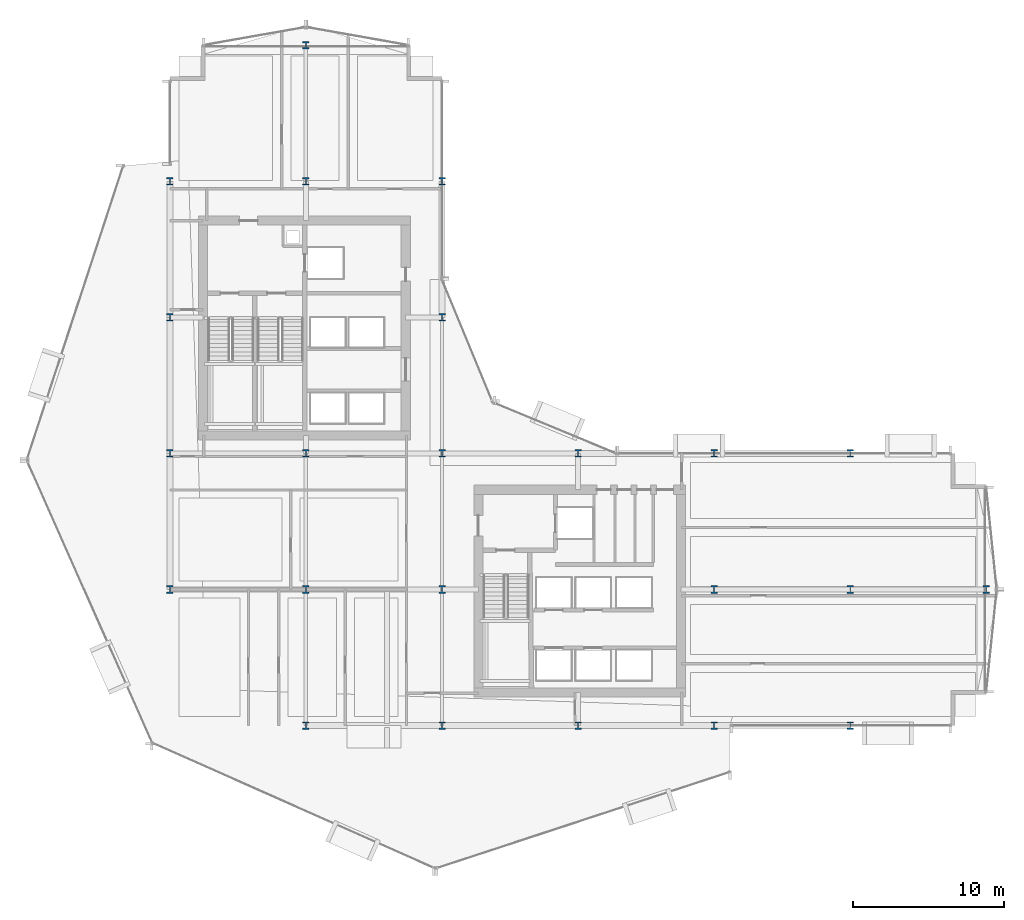
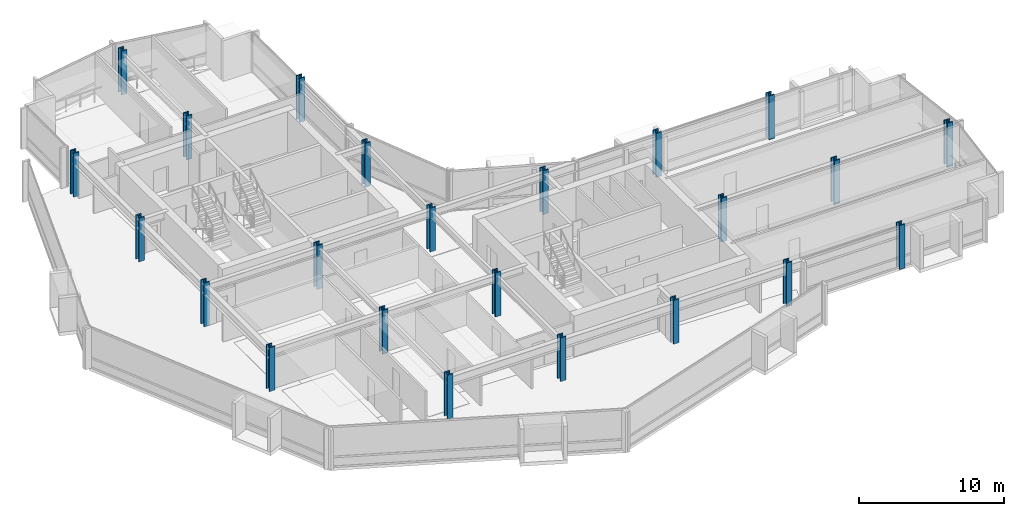
# One storey, part 1 of 34: 23 columns.
"""IFC4 building model written with IfcOpenShell, lengths in metres."""

import ifcopenshell
import ifcopenshell.guid

model = None  # the IFC model being written
_history = None  # IfcOwnerHistory: only IFC2X3 demands one
_inside = {}  # id of a spatial element -> (the spatial element, [elements in it])
_under = {}  # id of a project, library or spatial element -> (it, [spatial elements below it])
_declared = {}  # id of a project -> (the project, [libraries it declares])
_typed = {}  # id of a type object -> (the type object, [elements of that type])
_made_of = {}  # id of a material, layer set ... -> (it, [elements and type objects made of it])


def new_model(schema):
    """Start an empty IFC model of exactly this schema.

    Asked for "IFC4X3", IfcOpenShell would pick the latest addendum, in which some entities
    have other attributes; the version numbers below select the first issue.
    IFC2X3 requires an IfcOwnerHistory on every rooted entity: one is made here for all.
    """
    global model, _history
    if schema == "IFC4X3":
        model = ifcopenshell.file(schema_version=(4, 3, 0, 0))
    else:
        model = ifcopenshell.file(schema=schema)
    _inside.clear()
    _under.clear()
    _declared.clear()
    _typed.clear()
    _made_of.clear()
    _history = None
    if model.schema == "IFC2X3":
        org = make("IfcOrganization", Name="unknown")
        user = make(
            "IfcPersonAndOrganization",
            ThePerson=make("IfcPerson", FamilyName="unknown"),
            TheOrganization=org,
        )
        app = make(
            "IfcApplication",
            ApplicationDeveloper=org,
            Version="unknown",
            ApplicationFullName="unknown",
            ApplicationIdentifier="unknown",
        )
        _history = make(
            "IfcOwnerHistory",
            OwningUser=user,
            OwningApplication=app,
            ChangeAction="ADDED",
            CreationDate=0,
        )
    return model


def make(cls, **values):
    """One entity of the class cls with the attributes given. An attribute that is None is left unset."""
    return model.create_entity(
        cls, **{name: value for name, value in values.items() if value is not None}
    )


def rooted(cls, **values):
    """An entity with a GlobalId (a new one), such as an element, a storey or a relation."""
    return make(cls, GlobalId=ifcopenshell.guid.new(), OwnerHistory=_history, **values)


def si_unit(unit_type, name, prefix=None):
    """IfcSIUnit, for example si_unit("LENGTHUNIT", "METRE", prefix="MILLI")."""
    return make("IfcSIUnit", UnitType=unit_type, Prefix=prefix, Name=name)


def assignment(units):
    """IfcUnitAssignment: the units of a project."""
    return None if units is None else make("IfcUnitAssignment", Units=units)


def point(xyz):
    """IfcCartesianPoint."""
    return None if xyz is None else make("IfcCartesianPoint", Coordinates=xyz)


def direction(xyz):
    """IfcDirection."""
    return None if xyz is None else make("IfcDirection", DirectionRatios=xyz)


def frame(location, z_axis=None, x_axis=None):
    """IfcAxis2Placement3D, a coordinate frame: its origin and axes. An axis left out is left unset."""
    return make(
        "IfcAxis2Placement3D",
        Location=point(location),
        Axis=direction(z_axis),
        RefDirection=direction(x_axis),
    )


def frame_2d(location, x_axis=None):
    """IfcAxis2Placement2D, a coordinate frame in the plane: its origin and x axis."""
    return make(
        "IfcAxis2Placement2D", Location=point(location), RefDirection=direction(x_axis)
    )


def origin():
    """The frame at (0, 0, 0) with its axes left unset."""
    return frame((0.0, 0.0, 0.0))


def origin_2d():
    """The frame at (0, 0) in the plane with its x axis left unset."""
    return frame_2d((0.0, 0.0))


def place(relative_to, where):
    """IfcLocalPlacement: puts the frame where relative to a parent placement (None: the world)."""
    return make(
        "IfcLocalPlacement", PlacementRelTo=relative_to, RelativePlacement=where
    )


def context(
    kind, dimensions, precision=None, world=None, true_north=None, identifier=None
):
    """IfcGeometricRepresentationContext, for example the 3D "Model" context."""
    return make(
        "IfcGeometricRepresentationContext",
        ContextIdentifier=identifier,
        ContextType=kind,
        CoordinateSpaceDimension=dimensions,
        Precision=precision,
        WorldCoordinateSystem=world,
        TrueNorth=true_north,
    )


def subcontext(parent, identifier, kind, view, scale=None):
    """IfcGeometricRepresentationSubContext, for example "Body" below "Model"."""
    return make(
        "IfcGeometricRepresentationSubContext",
        ContextIdentifier=identifier,
        ContextType=kind,
        ParentContext=parent,
        TargetScale=scale,
        TargetView=view,
    )


def project(units=None, contexts=None):
    """IfcProject with its units and contexts."""
    return rooted(
        "IfcProject",
        Name="project",
        RepresentationContexts=contexts,
        UnitsInContext=assignment(units),
    )


def spatial(cls, under=None, at=None, **own):
    """A site, building, storey or space (cls), placed at a placement, below another one or the project."""
    s = rooted(cls, ObjectPlacement=at, **own)
    if under is not None:
        _under.setdefault(under.id(), (under, []))[1].append(s)
    return s


def profile(cls, at=None, kind="AREA", **sizes):
    """A parametric profile (cls). Its sizes go by their IFC names, for example OverallWidth=200.0."""
    return make(cls, ProfileType=kind, Position=at, **sizes)


def i_section(**sizes):
    """IfcIShapeProfileDef."""
    return profile("IfcIShapeProfileDef", **sizes)


def extrude(swept, where, along, depth):
    """IfcExtrudedAreaSolid: the profile swept, set in the frame where, extruded along a direction by depth."""
    return make(
        "IfcExtrudedAreaSolid",
        SweptArea=swept,
        Position=where,
        ExtrudedDirection=direction(along),
        Depth=depth,
    )


def shape(context_of_items, identifier, shape_type, items):
    """IfcShapeRepresentation: the items that make up one representation, for example the "Body"."""
    return make(
        "IfcShapeRepresentation",
        ContextOfItems=context_of_items,
        RepresentationIdentifier=identifier,
        RepresentationType=shape_type,
        Items=items,
    )


def material(Name=None, Category=None):
    """IfcMaterial."""
    return make("IfcMaterial", Name=Name, Category=Category)


def material_profile(
    of_material, cross_section, Name=None, Category=None, Priority=None
):
    """IfcMaterialProfile: a cross section and its material."""
    return make(
        "IfcMaterialProfile",
        Name=Name,
        Material=of_material,
        Profile=cross_section,
        Priority=Priority,
        Category=Category,
    )


def profile_set(profiles, Name=None, composite=None):
    """IfcMaterialProfileSet."""
    return make(
        "IfcMaterialProfileSet",
        Name=Name,
        MaterialProfiles=profiles,
        CompositeProfile=composite,
    )


def made_of(thing, what):
    """Note that an element or type object is made of a material, layer set ...; save() writes the relation."""
    if what is not None:
        _made_of.setdefault(what.id(), (what, []))[1].append(thing)
    return thing


def type_object(cls, material=None, **own):
    """A type object (cls), such as IfcWallType, which elements share."""
    return made_of(rooted(cls, **own), material)


def element(
    cls,
    number,
    at=None,
    inside=None,
    cuts=None,
    type_object=None,
    material=None,
    context=None,
    identifier="Body",
    shape_type=None,
    held_by="IfcProductDefinitionShape",
    body=None,
    shapes=None,
    **own,
):
    """One element of the class cls, such as IfcWall. Its Tag is "e" and its number.

    at: its placement. inside: the storey or other place that contains it. cuts: it is an
    opening in that element (IfcRelVoidsElement). A single representation is given by context,
    identifier, shape_type and body (its items); several are given by shapes. held_by: the class
    of the entity that holds the representations. save() writes the other relations.
    """
    e = rooted(cls, Tag="e%d" % number, ObjectPlacement=at, **own)
    if body is not None:
        shapes = [shape(context, identifier, shape_type, body)]
    if shapes is not None:
        e.Representation = make(held_by, Representations=shapes)
    if inside is not None:
        _inside.setdefault(inside.id(), (inside, []))[1].append(e)
    if cuts is not None:
        rooted(
            "IfcRelVoidsElement", RelatingBuildingElement=cuts, RelatedOpeningElement=e
        )
    if type_object is not None:
        _typed.setdefault(type_object.id(), (type_object, []))[1].append(e)
    return made_of(e, material)


def aggregate(whole, parts):
    """IfcRelAggregates: a whole, such as a stair, and the parts it consists of."""
    return rooted("IfcRelAggregates", RelatingObject=whole, RelatedObjects=parts)


def save(model, path):
    """Write the relations noted so far, then the file.

    IfcRelAggregates (storeys below a building ...), IfcRelContainedInSpatialStructure (elements
    in a storey), IfcRelDefinesByType, IfcRelAssociatesMaterial and IfcRelDeclares: one each for
    every whole, place, type object, material and project.
    """
    for whole, parts in _under.values():
        aggregate(whole, parts)
    for where, things in _inside.values():
        rooted(
            "IfcRelContainedInSpatialStructure",
            RelatedElements=things,
            RelatingStructure=where,
        )
    for kind, things in _typed.values():
        rooted("IfcRelDefinesByType", RelatedObjects=things, RelatingType=kind)
    for what, things in _made_of.values():
        rooted("IfcRelAssociatesMaterial", RelatedObjects=things, RelatingMaterial=what)
    for by, libraries in _declared.values():
        rooted("IfcRelDeclares", RelatingContext=by, RelatedDefinitions=libraries)
    model.write(path)


model = new_model("IFC4")

# Units and contexts
model_context = context("Model", 3, precision=1e-05, world=origin(), true_north=direction((0.0, 1.0)))
body_context = subcontext(model_context, "Body", "Model", "MODEL_VIEW")
ifc_project = project(units=[si_unit("LENGTHUNIT", "METRE"), si_unit("AREAUNIT", "SQUARE_METRE"), si_unit("VOLUMEUNIT", "CUBIC_METRE"), si_unit("PLANEANGLEUNIT", "RADIAN"), si_unit("MASSUNIT", "GRAM", prefix="KILO")], contexts=[model_context])

# Site, building, storey
site_placement = place(None, origin())
site = spatial("IfcSite", under=ifc_project, at=site_placement, CompositionType="ELEMENT")
building_placement = place(site_placement, origin())
building = spatial("IfcBuilding", under=site, at=building_placement, Name="Solvaryn Broadcast Tower", CompositionType="ELEMENT")
storey_placement = place(building_placement, frame((0.0, 0.0, 54.5)))
storey = spatial("IfcBuildingStorey", under=building, at=storey_placement, Name="L12", CompositionType="ELEMENT", Elevation=54.5)

# Columns
ifc_material_1 = material(Name="Steel ASTM A913 Grade 65", Category="steel")
ifc_material_profile_1 = material_profile(ifc_material_1, i_section(OverallWidth=0.431884765625, OverallDepth=0.498046875, WebThickness=0.0556640625, FlangeThickness=0.0888671875, FilletRadius=0.014892578125, at=origin_2d()))
ifc_profile_set_1 = profile_set([ifc_material_profile_1], Name="Steel ASTM A913 Grade 65")
column_type_1 = type_object("IfcColumnType", Name="COL-C03E-W14X500", PredefinedType="COLUMN", material=ifc_profile_set_1)
for number, where, z_axis, x_axis, name in (
    (1, (9.0, 18.0, 0.0), (0.0, 0.0, 1.0), (1.0, 0.0, 0.0), "L12 Column (9.0, 18.0)"),
    (2, (9.0, 27.0, 0.0), (0.0, 0.0, 1.0), (1.0, 0.0, 0.0), "L12 Column (9.0, 27.0)"),
    (3, (9.0, 36.0, 0.0), (0.0, 0.0, 1.0), (1.0, 0.0, 0.0), "L12 Column (9.0, 36.0)"),
    (4, (9.0, 45.0, 0.0), (0.0, 0.0, 1.0), (1.0, 0.0, 0.0), "L12 Column (9.0, 45.0)"),
    (5, (18.0, 9.0, 0.0), (0.0, 0.0, 1.0), (1.0, 0.0, 0.0), "L12 Column (18.0, 9.0)"),
    (6, (18.0, 54.0, 0.0), (0.0, 0.0, 1.0), (1.0, 0.0, 0.0), "L12 Column (18.0, 54.0)"),
    (7, (27.0, 9.0, 0.0), (0.0, 0.0, 1.0), (1.0, 0.0, 0.0), "L12 Column (27.0, 9.0)"),
    (8, (27.0, 36.0, 0.0), (0.0, 0.0, 1.0), (1.0, 0.0, 0.0), "L12 Column (27.0, 36.0)"),
    (9, (27.0, 45.0, 0.0), (0.0, 0.0, 1.0), (1.0, 0.0, 0.0), "L12 Column (27.0, 45.0)"),
    (10, (36.0, 9.0, 0.0), (0.0, 0.0, 1.0), (1.0, 0.0, 0.0), "L12 Column (36.0, 9.0)"),
    (11, (36.0, 27.0, 0.0), (0.0, 0.0, 1.0), (1.0, 0.0, 0.0), "L12 Column (36.0, 27.0)"),
    (12, (45.0, 9.0, 0.0), (0.0, 0.0, 1.0), (1.0, 0.0, 0.0), "L12 Column (45.0, 9.0)"),
    (13, (45.0, 27.0, 0.0), (0.0, 0.0, 1.0), (1.0, 0.0, 0.0), "L12 Column (45.0, 27.0)"),
    (14, (54.0, 9.0, 0.0), (0.0, 0.0, 1.0), (1.0, 0.0, 0.0), "L12 Column (54.0, 9.0)"),
    (15, (54.0, 27.0, 0.0), (0.0, 0.0, 1.0), (1.0, 0.0, 0.0), "L12 Column (54.0, 27.0)"),
    (16, (63.0, 18.0, 0.0), (0.0, 0.0, 1.0), (1.0, 0.0, 0.0), "L12 Column (63.0, 18.0)"),
):
    element("IfcColumn", number, at=place(storey_placement, frame(where, z_axis=z_axis, x_axis=x_axis)), inside=storey, type_object=column_type_1, Name=name, PredefinedType="COLUMN", context=body_context, shape_type="SweptSolid", body=[
        extrude(i_section(OverallWidth=0.431884765625, OverallDepth=0.498046875, WebThickness=0.0556640625, FlangeThickness=0.0888671875, FilletRadius=0.014892578125, at=origin_2d()), origin(), (0.0, 0.0, 1.0), 3.699951171875),
    ])
ifc_material_2 = material(Name="Steel ASTM A913 Grade 65", Category="steel")
ifc_material_profile_2 = material_profile(ifc_material_2, i_section(OverallWidth=0.431884765625, OverallDepth=0.498046875, WebThickness=0.0556640625, FlangeThickness=0.0888671875, FilletRadius=0.014892578125, at=origin_2d()))
ifc_profile_set_2 = profile_set([ifc_material_profile_2], Name="Steel ASTM A913 Grade 65")
column_type_2 = type_object("IfcColumnType", Name="COL-C03I-W14X500", PredefinedType="COLUMN", material=ifc_profile_set_2)
for number, where, z_axis, x_axis, name in (
    (17, (18.0, 18.0, 0.0), (0.0, 0.0, 1.0), (1.0, 0.0, 0.0), "L12 Column (18.0, 18.0)"),
    (18, (18.0, 27.0, 0.0), (0.0, 0.0, 1.0), (1.0, 0.0, 0.0), "L12 Column (18.0, 27.0)"),
    (19, (18.0, 45.0, 0.0), (0.0, 0.0, 1.0), (1.0, 0.0, 0.0), "L12 Column (18.0, 45.0)"),
    (20, (27.0, 18.0, 0.0), (0.0, 0.0, 1.0), (1.0, 0.0, 0.0), "L12 Column (27.0, 18.0)"),
    (21, (27.0, 27.0, 0.0), (0.0, 0.0, 1.0), (1.0, 0.0, 0.0), "L12 Column (27.0, 27.0)"),
    (22, (45.0, 18.0, 0.0), (0.0, 0.0, 1.0), (1.0, 0.0, 0.0), "L12 Column (45.0, 18.0)"),
    (23, (54.0, 18.0, 0.0), (0.0, 0.0, 1.0), (1.0, 0.0, 0.0), "L12 Column (54.0, 18.0)"),
):
    element("IfcColumn", number, at=place(storey_placement, frame(where, z_axis=z_axis, x_axis=x_axis)), inside=storey, type_object=column_type_2, Name=name, PredefinedType="COLUMN", context=body_context, shape_type="SweptSolid", body=[
        extrude(i_section(OverallWidth=0.431884765625, OverallDepth=0.498046875, WebThickness=0.0556640625, FlangeThickness=0.0888671875, FilletRadius=0.014892578125, at=origin_2d()), origin(), (0.0, 0.0, 1.0), 3.699951171875),
    ])

save(model, "model.ifc")
